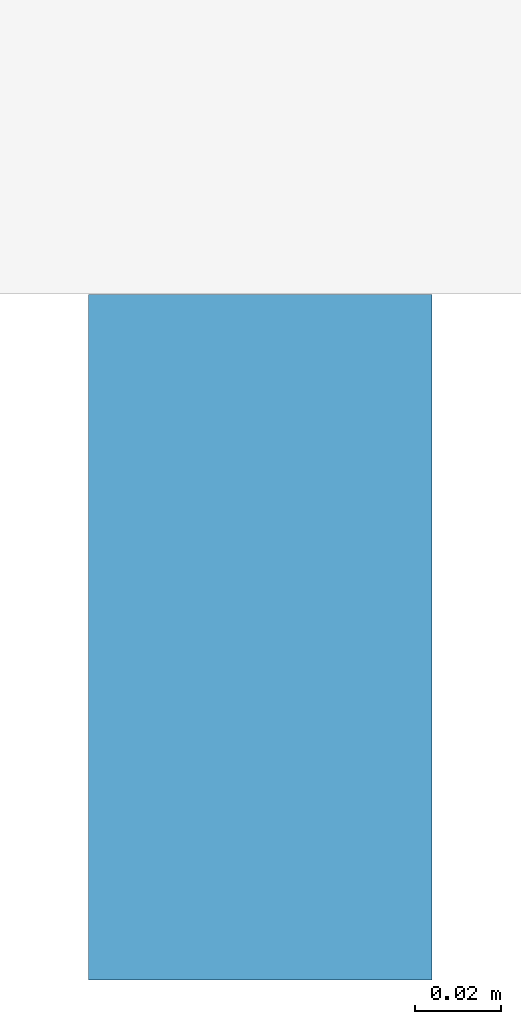
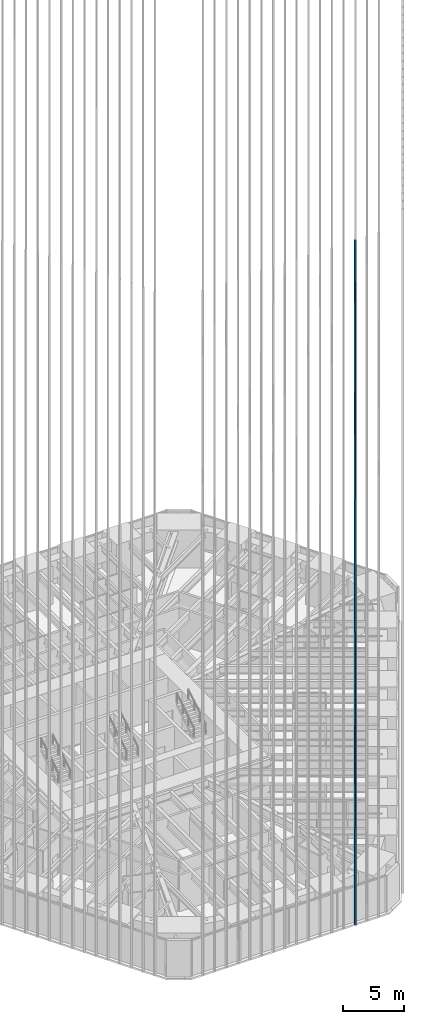
# One storey, part 74 of 256: 1 member, 1 element without a shape of its own.
"""IFC4 building model written with IfcOpenShell, lengths in metres."""

from ifc_helpers import new_model, si_unit, direction, frame, origin, origin_2d, place, context, subcontext, project, spatial, rectangle, extrude, material, material_profile, profile_set, type_object, element, aggregate, save


model = new_model("IFC4")

# Units and contexts
model_context = context("Model", 3, precision=1e-05, world=origin(), true_north=direction((0.0, 1.0)))
body_context = subcontext(model_context, "Body", "Model", "MODEL_VIEW")
ifc_project = project(units=[si_unit("LENGTHUNIT", "METRE"), si_unit("AREAUNIT", "SQUARE_METRE"), si_unit("VOLUMEUNIT", "CUBIC_METRE"), si_unit("PLANEANGLEUNIT", "RADIAN"), si_unit("MASSUNIT", "GRAM", prefix="KILO")], contexts=[model_context])

# Site, building, storey
site_placement = place(None, origin())
site = spatial("IfcSite", under=ifc_project, at=site_placement, CompositionType="ELEMENT")
building_placement = place(site_placement, origin())
building = spatial("IfcBuilding", under=site, at=building_placement, Name="Sandreach Pilgrim Tower", CompositionType="ELEMENT")
storey_placement = place(building_placement, frame((0.0, 0.0, 23.0)))
storey = spatial("IfcBuildingStorey", under=building, at=storey_placement, Name="L04", CompositionType="ELEMENT", Elevation=23.0)

# Curtain wall, member
ifc_material_1 = material(Name="Aluminium framed curtain wall", Category="aluminium")
curtain_wall_type = type_object("IfcCurtainWallType", Name="Hostel tower curtain wall", PredefinedType="NOTDEFINED", material=ifc_material_1)
curtain_wall_placement = place(storey_placement, origin())
curtain_wall = element("IfcCurtainWall", 1, at=curtain_wall_placement, inside=storey, type_object=curtain_wall_type, Name="CW-1 L04 S", PredefinedType="NOTDEFINED")
ifc_material_2 = material(Name="Extruded terracotta on aluminium core", Category="masonry")
ifc_material_profile = material_profile(ifc_material_2, rectangle(XDim=0.080078125, YDim=0.159912109375, at=origin_2d()), Name="TBS 80X160")
ifc_profile_set = profile_set([ifc_material_profile], Name="Extruded terracotta on aluminium core")
member_type = type_object("IfcMemberType", Name="Terracotta baguette south", PredefinedType="USERDEFINED", material=ifc_profile_set)
member_placement = place(storey_placement, frame((6.076904296875, -30.390869140625, 0.0), z_axis=(0.0, 0.0, 1.0), x_axis=(-1.0, 0.0, 0.0)))
member = element("IfcMember", 2, at=member_placement, type_object=member_type, Name="Baguette Z1 S03", ObjectType="BAGUETTE", PredefinedType="USERDEFINED", context=body_context, shape_type="SweptSolid", body=[
    extrude(rectangle(XDim=0.080078125, YDim=0.159912109375, at=origin_2d()), origin(), (0.0, 0.0, 1.0), 68.239990234375),
])
aggregate(curtain_wall, [member])

save(model, "model.ifc")
